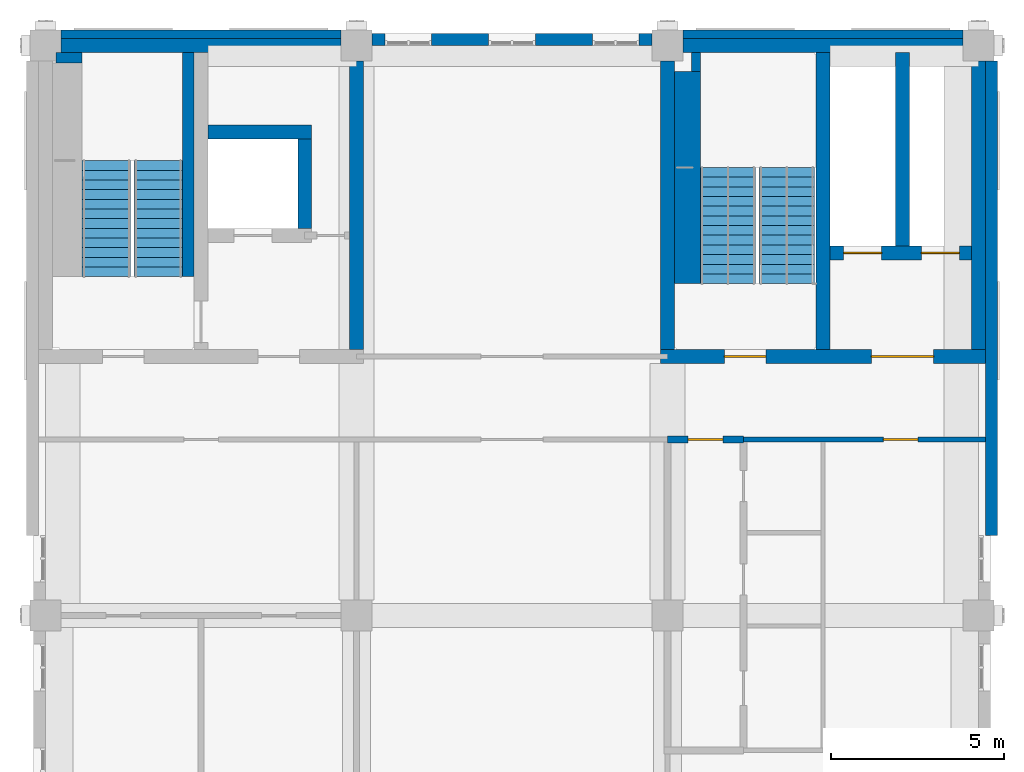
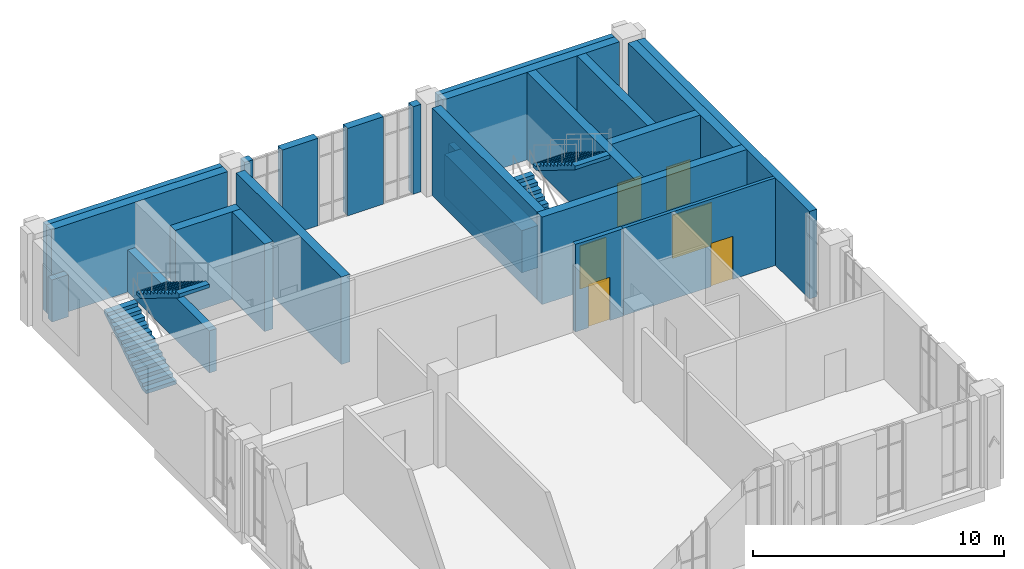
# One storey, part 10 of 13: 24 walls, 6 doors, 4 stair flights, 6 openings, 2 elements without a shape of their own.
"""IFC4 building model written with IfcOpenShell, lengths in metres."""

from ifc_helpers import new_model, si_unit, direction, frame, frame_2d, origin, place, context, subcontext, project, spatial, polyline, rectangle, outline, extrude, material, layer, layer_set, type_object, element, fill, aggregate, save


model = new_model("IFC4")

# Units and contexts
model_context = context("Model", 3, precision=1e-05, world=origin(), true_north=direction((0.0, 1.0)))
body_context = subcontext(model_context, "Body", "Model", "MODEL_VIEW")
ifc_project = project(units=[si_unit("LENGTHUNIT", "METRE"), si_unit("AREAUNIT", "SQUARE_METRE"), si_unit("VOLUMEUNIT", "CUBIC_METRE"), si_unit("PLANEANGLEUNIT", "RADIAN"), si_unit("MASSUNIT", "GRAM", prefix="KILO")], contexts=[model_context])

# Site, building, storey
site_placement = place(None, origin())
site = spatial("IfcSite", under=ifc_project, at=site_placement, CompositionType="ELEMENT")
building_placement = place(site_placement, origin())
building = spatial("IfcBuilding", under=site, at=building_placement, Name="Aurelan Courthouse", CompositionType="ELEMENT")
storey_placement = place(building_placement, frame((0.0, 0.0, 48.89990234375)))
storey = spatial("IfcBuildingStorey", under=building, at=storey_placement, Name="L09", CompositionType="ELEMENT", Elevation=48.89990234375)

# Wall, opening, door
ifc_material_1 = material(Name="Gypsum board on metal studs")
ifc_layer_1 = layer(ifc_material_1, 0.14990234375)
ifc_layer_set_1 = layer_set([ifc_layer_1], Name="Gypsum board on metal studs")
wall_type_1 = type_object("IfcWallType", Name="Corridor partition 150 EI 60", PredefinedType="PARTITIONING", material=ifc_layer_set_1)
wall_1_placement = place(storey_placement, frame((20.199951171875, 17.10009765625, 0.0), z_axis=(0.0, 0.0, 1.0), x_axis=(1.0, 0.0, 0.0)))
wall_1 = element("IfcWall", 1, at=wall_1_placement, inside=storey, type_object=wall_type_1, Name="Corridor partition L09-009", PredefinedType="PARTITIONING", context=body_context, shape_type="SweptSolid", body=[
    extrude(rectangle(XDim=7.0, YDim=0.14990234375, at=frame_2d((3.5, 0.0))), origin(), (0.0, 0.0, 1.0), 4.25),
])
opening_1_placement = place(wall_1_placement, frame((5.050048828125, 0.0, 0.0), z_axis=(0.0, 0.0, 1.0), x_axis=(-1.0, 0.0, 0.0)))
opening_1 = element("IfcOpeningElement", 2, at=opening_1_placement, cuts=wall_1, Name="Opening D-L09-015", PredefinedType="OPENING", context=body_context, shape_type="SweptSolid", body=[
    extrude(rectangle(XDim=1.0, YDim=2.10009765625, at=frame_2d((0.5, 1.050048828125))), frame((0.0, 0.0849609375, 0.0), z_axis=(0.0, -1.0, 0.0), x_axis=(1.0, 0.0, 0.0)), (0.0, 0.0, 1.0), 0.169921875),
])
ifc_material_2 = material(Name="Steel", Category="steel")
door_type_1 = type_object("IfcDoorType", Name="Single door 1000 x 2100 FD60", OperationType="SINGLE_SWING_LEFT", PredefinedType="DOOR", material=ifc_material_2)
door_1_placement = place(opening_1_placement, origin())
door_1 = element("IfcDoor", 3, at=door_1_placement, inside=storey, type_object=door_type_1, Name="Single door D-L09-015", OperationType="SINGLE_SWING_RIGHT", OverallHeight=2.10009765625, OverallWidth=1.0, PredefinedType="DOOR", context=body_context, shape_type="SweptSolid", body=[
    extrude(rectangle(XDim=1.0, YDim=2.10009765625, at=frame_2d((0.5, 1.050048828125))), frame((0.0, 0.02490234375, 0.0), z_axis=(0.0, -1.0, 0.0), x_axis=(1.0, 0.0, 0.0)), (0.0, 0.0, 1.0), 0.050048828125),
])
fill(opening_1, door_1)

# Walls
ifc_material_3 = material(Name="Limestone cladding", Category="masonry")
ifc_layer_2 = layer(ifc_material_3, 0.070068359375, Name="Facing")
ifc_material_4 = material(Name="Ventilated cavity")
ifc_layer_3 = layer(ifc_material_4, 0.02490234375, ventilated=True, Name="Ventilated cavity")
ifc_material_5 = material(Name="Mineral wool insulation")
ifc_layer_4 = layer(ifc_material_5, 0.034912109375, Name="Insulation")
ifc_material_6 = material(Name="Concrete C30", Category="concrete")
ifc_layer_5 = layer(ifc_material_6, 0.1201171875, Name="Structure")
ifc_layer_set_2 = layer_set([ifc_layer_2, ifc_layer_3, ifc_layer_4, ifc_layer_5], Name="Concrete C30")
wall_type_2 = type_object("IfcWallType", Name="Courts' Floors stone-faced wall 250", PredefinedType="SOLIDWALL", material=ifc_layer_set_2)
for number, where, z_axis, x_axis, name in (
    (4, (0.449951171875, 28.824951171875, 0.0), (0.0, 0.0, 1.0), (1.0, 0.0, 0.0), "Facade wall FW-V5-L09-012"),
    (5, (18.449951171875, 28.824951171875, 0.0), (0.0, 0.0, 1.0), (1.0, 0.0, 0.0), "Facade wall FW-V5-L09-017"),
):
    element("IfcWall", number, at=place(storey_placement, frame(where, z_axis=z_axis, x_axis=x_axis)), inside=storey, type_object=wall_type_2, Name=name, PredefinedType="SOLIDWALL", context=body_context, shape_type="SweptSolid", body=[
        extrude(rectangle(XDim=8.10009765625, YDim=0.25, at=frame_2d((4.050048828125, 0.0))), origin(), (0.0, 0.0, 1.0), 4.25),
    ])
ifc_layer_6 = layer(ifc_material_3, 0.10009765625, Name="Facing")
ifc_layer_7 = layer(ifc_material_4, 0.02490234375, ventilated=True, Name="Ventilated cavity")
ifc_layer_8 = layer(ifc_material_5, 0.050048828125, Name="Insulation")
ifc_layer_9 = layer(ifc_material_6, 0.175048828125, Name="Structure")
ifc_layer_set_3 = layer_set([ifc_layer_6, ifc_layer_7, ifc_layer_8, ifc_layer_9], Name="Concrete C30")
wall_type_3 = type_object("IfcWallType", Name="Courts' Floors stone-faced wall 350", PredefinedType="SOLIDWALL", material=ifc_layer_set_3)
wall_2_placement = place(storey_placement, frame((9.449951171875, 28.675048828125, 0.0), z_axis=(0.0, 0.0, 1.0), x_axis=(1.0, 0.0, 0.0)))
element("IfcWall", 6, at=wall_2_placement, inside=storey, type_object=wall_type_3, Name="Facade wall FW-V5-L09-013", PredefinedType="SOLIDWALL", context=body_context, shape_type="SweptSolid", body=[
    extrude(rectangle(XDim=0.375, YDim=0.35009765625, at=frame_2d((0.1875, 0.0))), origin(), (0.0, 0.0, 1.0), 4.25),
])
for number, where, z_axis, x_axis, name in (
    (7, (11.175048828125, 28.675048828125, 0.0), (0.0, 0.0, 1.0), (1.0, 0.0, 0.0), "Facade wall FW-V5-L09-014"),
    (8, (14.175048828125, 28.675048828125, 0.0), (0.0, 0.0, 1.0), (1.0, 0.0, 0.0), "Facade wall FW-V5-L09-015"),
):
    element("IfcWall", number, at=place(storey_placement, frame(where, z_axis=z_axis, x_axis=x_axis)), inside=storey, type_object=wall_type_3, Name=name, PredefinedType="SOLIDWALL", context=body_context, shape_type="SweptSolid", body=[
        extrude(rectangle(XDim=1.64990234375, YDim=0.35009765625, at=frame_2d((0.824951171875, 0.0))), origin(), (0.0, 0.0, 1.0), 4.25),
    ])
wall_3_placement = place(storey_placement, frame((17.175048828125, 28.675048828125, 0.0), z_axis=(0.0, 0.0, 1.0), x_axis=(1.0, 0.0, 0.0)))
element("IfcWall", 9, at=wall_3_placement, inside=storey, type_object=wall_type_3, Name="Facade wall FW-V5-L09-016", PredefinedType="SOLIDWALL", context=body_context, shape_type="SweptSolid", body=[
    extrude(rectangle(XDim=0.375, YDim=0.35009765625, at=frame_2d((0.1875, 0.0))), origin(), (0.0, 0.0, 1.0), 4.25),
])
wall_4_placement = place(storey_placement, frame((27.375, 14.324951171875, 0.0), z_axis=(0.0, 0.0, 1.0), x_axis=(0.0, 1.0, 0.0)))
element("IfcWall", 10, at=wall_4_placement, inside=storey, type_object=wall_type_3, Name="Facade wall FW-V5-L09-023", PredefinedType="SOLIDWALL", context=body_context, shape_type="SweptSolid", body=[
    extrude(rectangle(XDim=13.72509765625, YDim=0.35009765625, at=frame_2d((6.862548828125, 0.0))), origin(), (0.0, 0.0, 1.0), 4.25),
])

# Wall, opening, door
ifc_material_7 = material(Name="Masonry block", Category="masonry")
ifc_layer_10 = layer(ifc_material_7, 0.199951171875)
ifc_layer_set_4 = layer_set([ifc_layer_10], Name="Masonry block")
wall_type_4 = type_object("IfcWallType", Name="Lift lobby wall 200 EI 60", PredefinedType="PARTITIONING", material=ifc_layer_set_4)
wall_5_placement = place(storey_placement, frame((18.0, 17.10009765625, 0.0), z_axis=(0.0, 0.0, 1.0), x_axis=(1.0, 0.0, 0.0)))
wall_5 = element("IfcWall", 11, at=wall_5_placement, inside=storey, type_object=wall_type_4, Name="Lift lobby wall L09-008", PredefinedType="PARTITIONING", context=body_context, shape_type="SweptSolid", body=[
    extrude(rectangle(XDim=2.199951171875, YDim=0.199951171875, at=frame_2d((1.10009765625, 0.0))), origin(), (0.0, 0.0, 1.0), 4.25),
])
opening_2_placement = place(wall_5_placement, frame((0.60009765625, 0.0, 0.0)))
opening_2 = element("IfcOpeningElement", 12, at=opening_2_placement, cuts=wall_5, Name="Opening D-L09-016", PredefinedType="OPENING", context=body_context, shape_type="SweptSolid", body=[
    extrude(rectangle(XDim=1.0, YDim=2.10009765625, at=frame_2d((0.5, 1.050048828125))), frame((0.0, 0.10986328125, 0.0), z_axis=(0.0, -1.0, 0.0), x_axis=(1.0, 0.0, 0.0)), (0.0, 0.0, 1.0), 0.219970703125),
])
door_2_placement = place(opening_2_placement, origin())
door_2 = element("IfcDoor", 13, at=door_2_placement, inside=storey, type_object=door_type_1, Name="Single door D-L09-016", OperationType="SINGLE_SWING_RIGHT", OverallHeight=2.10009765625, OverallWidth=1.0, PredefinedType="DOOR", context=body_context, shape_type="SweptSolid", body=[
    extrude(rectangle(XDim=1.0, YDim=2.10009765625, at=frame_2d((0.5, 1.050048828125))), frame((0.0, 0.02490234375, 0.0), z_axis=(0.0, -1.0, 0.0), x_axis=(1.0, 0.0, 0.0)), (0.0, 0.0, 1.0), 0.050048828125),
])
fill(opening_2, door_2)

# Wall, openings, doors
ifc_material_8 = material(Name="Concrete C50", Category="concrete")
ifc_layer_11 = layer(ifc_material_8, 0.39990234375)
ifc_layer_set_5 = layer_set([ifc_layer_11], Name="Concrete C50")
wall_type_5 = type_object("IfcWallType", Name="RC shear wall 400", PredefinedType="SHEAR", material=ifc_layer_set_5)
wall_6_placement = place(storey_placement, frame((17.800048828125, 19.5, 0.0), z_axis=(0.0, 0.0, 1.0), x_axis=(1.0, 0.0, 0.0)))
wall_6 = element("IfcWall", 14, at=wall_6_placement, inside=storey, type_object=wall_type_5, Name="Core wall SW-L09-002", PredefinedType="SHEAR", context=body_context, shape_type="SweptSolid", body=[
    extrude(rectangle(XDim=9.39990234375, YDim=0.39990234375, at=frame_2d((4.699951171875, 0.0))), origin(), (0.0, 0.0, 1.0), 4.25),
])
opening_3_placement = place(wall_6_placement, frame((1.85009765625, 0.0, 0.0)))
opening_3 = element("IfcOpeningElement", 15, at=opening_3_placement, cuts=wall_6, Name="Opening D-L09-006", PredefinedType="OPENING", context=body_context, shape_type="SweptSolid", body=[
    extrude(rectangle(XDim=1.199951171875, YDim=2.10009765625, at=frame_2d((0.60009765625, 1.050048828125))), frame((0.0, 0.2099609375, 0.0), z_axis=(0.0, -1.0, 0.0), x_axis=(1.0, 0.0, 0.0)), (0.0, 0.0, 1.0), 0.419921875),
])
opening_4_placement = place(wall_6_placement, frame((7.900146484375, 0.0, 0.0), z_axis=(0.0, 0.0, 1.0), x_axis=(-1.0, 0.0, 0.0)))
opening_4 = element("IfcOpeningElement", 16, at=opening_4_placement, cuts=wall_6, Name="Opening D-L09-007", PredefinedType="OPENING", context=body_context, shape_type="SweptSolid", body=[
    extrude(rectangle(XDim=1.800048828125, YDim=2.10009765625, at=frame_2d((0.89990234375, 1.050048828125))), frame((0.0, 0.2099609375, 0.0), z_axis=(0.0, -1.0, 0.0), x_axis=(1.0, 0.0, 0.0)), (0.0, 0.0, 1.0), 0.419921875),
])
door_type_2 = type_object("IfcDoorType", Name="Double door 1800 x 2100 FD90", OperationType="DOUBLE_DOOR_SINGLE_SWING", PredefinedType="DOOR", material=ifc_material_2)
door_3_placement = place(opening_4_placement, origin())
door_3 = element("IfcDoor", 17, at=door_3_placement, inside=storey, type_object=door_type_2, Name="Double door D-L09-007", OperationType="DOUBLE_DOOR_SINGLE_SWING", OverallHeight=2.10009765625, OverallWidth=1.800048828125, PredefinedType="DOOR", context=body_context, shape_type="SweptSolid", body=[
    extrude(rectangle(XDim=1.800048828125, YDim=2.10009765625, at=frame_2d((0.89990234375, 1.050048828125))), frame((0.0, 0.02490234375, 0.0), z_axis=(0.0, -1.0, 0.0), x_axis=(1.0, 0.0, 0.0)), (0.0, 0.0, 1.0), 0.050048828125),
])
fill(opening_4, door_3)
door_type_3 = type_object("IfcDoorType", Name="Single door 1200 x 2100 FD90", OperationType="SINGLE_SWING_LEFT", PredefinedType="DOOR", material=ifc_material_2)
door_4_placement = place(opening_3_placement, origin())
door_4 = element("IfcDoor", 18, at=door_4_placement, inside=storey, type_object=door_type_3, Name="Single door D-L09-006", OperationType="SINGLE_SWING_LEFT", OverallHeight=2.10009765625, OverallWidth=1.199951171875, PredefinedType="DOOR", context=body_context, shape_type="SweptSolid", body=[
    extrude(rectangle(XDim=1.199951171875, YDim=2.10009765625, at=frame_2d((0.60009765625, 1.050048828125))), frame((0.0, 0.02490234375, 0.0), z_axis=(0.0, -1.0, 0.0), x_axis=(1.0, 0.0, 0.0)), (0.0, 0.0, 1.0), 0.050048828125),
])
fill(opening_3, door_4)

# Walls
for number, where, z_axis, x_axis, name in (
    (19, (9.0, 19.699951171875, 0.0), (0.0, 0.0, 1.0), (0.0, 1.0, 0.0), "Core wall SW-L09-005"),
    (20, (18.0, 19.699951171875, 0.0), (0.0, 0.0, 1.0), (0.0, 1.0, 0.0), "Core wall SW-L09-006"),
):
    element("IfcWall", number, at=place(storey_placement, frame(where, z_axis=z_axis, x_axis=x_axis)), inside=storey, type_object=wall_type_5, Name=name, PredefinedType="SHEAR", context=body_context, shape_type="SweptSolid", body=[
        extrude(rectangle(XDim=8.35009765625, YDim=0.39990234375, at=frame_2d((4.175048828125, 0.0))), origin(), (0.0, 0.0, 1.0), 4.25),
    ])
wall_7_placement = place(storey_placement, frame((22.5, 19.699951171875, 0.0), z_axis=(0.0, 0.0, 1.0), x_axis=(0.0, 1.0, 0.0)))
element("IfcWall", 21, at=wall_7_placement, inside=storey, type_object=wall_type_5, Name="Core wall SW-L09-007", PredefinedType="SHEAR", context=body_context, shape_type="SweptSolid", body=[
    extrude(rectangle(XDim=8.60009765625, YDim=0.39990234375, at=frame_2d((4.300048828125, 0.0))), origin(), (0.0, 0.0, 1.0), 4.25),
])
wall_8_placement = place(storey_placement, frame((27.0, 19.699951171875, 0.0), z_axis=(0.0, 0.0, 1.0), x_axis=(0.0, 1.0, 0.0)))
element("IfcWall", 22, at=wall_8_placement, inside=storey, type_object=wall_type_5, Name="Core wall SW-L09-008", PredefinedType="SHEAR", context=body_context, shape_type="SweptSolid", body=[
    extrude(rectangle(XDim=8.35009765625, YDim=0.39990234375, at=frame_2d((4.175048828125, 0.0))), origin(), (0.0, 0.0, 1.0), 4.25),
])

# Wall, openings, doors
wall_9_placement = place(storey_placement, frame((22.699951171875, 22.5, 0.0), z_axis=(0.0, 0.0, 1.0), x_axis=(1.0, 0.0, 0.0)))
wall_9 = element("IfcWall", 23, at=wall_9_placement, inside=storey, type_object=wall_type_5, Name="Core wall SW-L09-009", PredefinedType="SHEAR", context=body_context, shape_type="SweptSolid", body=[
    extrude(rectangle(XDim=4.10009765625, YDim=0.39990234375, at=frame_2d((2.050048828125, 0.0))), origin(), (0.0, 0.0, 1.0), 4.25),
])
opening_5_placement = place(wall_9_placement, frame((0.39990234375, 0.0, 0.0)))
opening_5 = element("IfcOpeningElement", 24, at=opening_5_placement, cuts=wall_9, Name="Opening LD-V5-P1-L09", PredefinedType="OPENING", context=body_context, shape_type="SweptSolid", body=[
    extrude(rectangle(XDim=1.10009765625, YDim=2.10009765625, at=frame_2d((0.550048828125, 1.050048828125))), frame((0.0, 0.2099609375, 0.0), z_axis=(0.0, -1.0, 0.0), x_axis=(1.0, 0.0, 0.0)), (0.0, 0.0, 1.0), 0.419921875),
])
opening_6_placement = place(wall_9_placement, frame((2.64990234375, 0.0, 0.0)))
opening_6 = element("IfcOpeningElement", 25, at=opening_6_placement, cuts=wall_9, Name="Opening LD-V5-P2-L09", PredefinedType="OPENING", context=body_context, shape_type="SweptSolid", body=[
    extrude(rectangle(XDim=1.10009765625, YDim=2.10009765625, at=frame_2d((0.550048828125, 1.050048828125))), frame((0.0, 0.2099609375, 0.0), z_axis=(0.0, -1.0, 0.0), x_axis=(1.0, 0.0, 0.0)), (0.0, 0.0, 1.0), 0.419921875),
])
door_type_4 = type_object("IfcDoorType", Name="Lift landing door 1100 x 2100 FD90", OperationType="SLIDING_TO_LEFT", PredefinedType="DOOR", material=ifc_material_2)
door_5_placement = place(opening_5_placement, origin())
door_5 = element("IfcDoor", 26, at=door_5_placement, inside=storey, type_object=door_type_4, Name="Lift landing door LD-V5-P1-L09", OperationType="SLIDING_TO_LEFT", OverallHeight=2.10009765625, OverallWidth=1.10009765625, PredefinedType="DOOR", context=body_context, shape_type="SweptSolid", body=[
    extrude(rectangle(XDim=1.10009765625, YDim=2.10009765625, at=frame_2d((0.550048828125, 1.050048828125))), frame((0.0, 0.02490234375, 0.0), z_axis=(0.0, -1.0, 0.0), x_axis=(1.0, 0.0, 0.0)), (0.0, 0.0, 1.0), 0.050048828125),
])
fill(opening_5, door_5)
door_6_placement = place(opening_6_placement, origin())
door_6 = element("IfcDoor", 27, at=door_6_placement, inside=storey, type_object=door_type_4, Name="Lift landing door LD-V5-P2-L09", OperationType="SLIDING_TO_LEFT", OverallHeight=2.10009765625, OverallWidth=1.10009765625, PredefinedType="DOOR", context=body_context, shape_type="SweptSolid", body=[
    extrude(rectangle(XDim=1.10009765625, YDim=2.10009765625, at=frame_2d((0.550048828125, 1.050048828125))), frame((0.0, 0.02490234375, 0.0), z_axis=(0.0, -1.0, 0.0), x_axis=(1.0, 0.0, 0.0)), (0.0, 0.0, 1.0), 0.050048828125),
])
fill(opening_6, door_6)

# Walls
wall_10_placement = place(storey_placement, frame((24.800048828125, 22.699951171875, 0.0), z_axis=(0.0, 0.0, 1.0), x_axis=(0.0, 1.0, 0.0)))
element("IfcWall", 28, at=wall_10_placement, inside=storey, type_object=wall_type_5, Name="Core wall SW-L09-010", PredefinedType="SHEAR", context=body_context, shape_type="SweptSolid", body=[
    extrude(rectangle(XDim=5.60009765625, YDim=0.39990234375, at=frame_2d((2.800048828125, 0.0))), origin(), (0.0, 0.0, 1.0), 4.25),
])
wall_11_placement = place(storey_placement, frame((7.5, 23.199951171875, 0.0), z_axis=(0.0, 0.0, 1.0), x_axis=(0.0, 1.0, 0.0)))
element("IfcWall", 29, at=wall_11_placement, inside=storey, type_object=wall_type_5, Name="Core wall SW-L09-012", PredefinedType="SHEAR", context=body_context, shape_type="SweptSolid", body=[
    extrude(rectangle(XDim=2.60009765625, YDim=0.39990234375, at=frame_2d((1.300048828125, 0.0))), origin(), (0.0, 0.0, 1.0), 4.25),
])
wall_12_placement = place(storey_placement, frame((4.699951171875, 26.0, 0.0), z_axis=(0.0, 0.0, 1.0), x_axis=(1.0, 0.0, 0.0)))
element("IfcWall", 30, at=wall_12_placement, inside=storey, type_object=wall_type_5, Name="Core wall SW-L09-013", PredefinedType="SHEAR", context=body_context, shape_type="SweptSolid", body=[
    extrude(rectangle(XDim=3.0, YDim=0.39990234375, at=frame_2d((1.5, 0.0))), origin(), (0.0, 0.0, 1.0), 4.25),
])
for number, where, z_axis, x_axis, name in (
    (31, (0.449951171875, 28.5, 0.0), (0.0, 0.0, 1.0), (1.0, 0.0, 0.0), "Core wall SW-L09-014"),
    (32, (18.449951171875, 28.5, 0.0), (0.0, 0.0, 1.0), (1.0, 0.0, 0.0), "Core wall SW-L09-015"),
):
    element("IfcWall", number, at=place(storey_placement, frame(where, z_axis=z_axis, x_axis=x_axis)), inside=storey, type_object=wall_type_5, Name=name, PredefinedType="SHEAR", context=body_context, shape_type="SweptSolid", body=[
        extrude(rectangle(XDim=8.10009765625, YDim=0.39990234375, at=frame_2d((4.050048828125, 0.0))), origin(), (0.0, 0.0, 1.0), 4.25),
    ])
ifc_layer_12 = layer(ifc_material_6, 0.25)
ifc_layer_set_6 = layer_set([ifc_layer_12], Name="Concrete C30")
wall_type_6 = type_object("IfcWallType", Name="Stair well wall 250 EI 120 load-bearing", PredefinedType="SHEAR", material=ifc_layer_set_6)
wall_13_placement = place(storey_placement, frame((18.824951171875, 27.75, 0.0), z_axis=(0.0, 0.0, 1.0), x_axis=(0.0, 1.0, 0.0)))
element("IfcWall", 33, at=wall_13_placement, inside=storey, type_object=wall_type_6, Name="Stair well wall ST-5A-L09 A2", PredefinedType="SHEAR", context=body_context, shape_type="SweptSolid", body=[
    extrude(rectangle(XDim=0.550048828125, YDim=0.25, at=frame_2d((0.27490234375, 0.0))), origin(), (0.0, 0.0, 1.0), 2.050048828125),
])
ifc_layer_13 = layer(ifc_material_6, 0.340087890625)
ifc_layer_set_7 = layer_set([ifc_layer_13], Name="Concrete C30")
wall_type_7 = type_object("IfcWallType", Name="Stair well wall 340 EI 120 load-bearing", PredefinedType="SHEAR", material=ifc_layer_set_7)
wall_14_placement = place(storey_placement, frame((4.1298828125, 21.81005859375, 0.0), z_axis=(0.0, 0.0, 1.0), x_axis=(0.0, 1.0, 0.0)))
element("IfcWall", 34, at=wall_14_placement, inside=storey, type_object=wall_type_7, Name="Stair well wall ST-5B-L09 B", PredefinedType="SHEAR", context=body_context, shape_type="SweptSolid", body=[
    extrude(rectangle(XDim=6.489990234375, YDim=0.340087890625, at=frame_2d((3.2451171875, 0.0))), origin(), (0.0, 0.0, 1.0), 2.050048828125),
])
ifc_layer_14 = layer(ifc_material_6, 0.75)
ifc_layer_set_8 = layer_set([ifc_layer_14], Name="Concrete C30")
wall_type_8 = type_object("IfcWallType", Name="Stair well wall 750 EI 120 load-bearing", PredefinedType="SHEAR", material=ifc_layer_set_8)
wall_15_placement = place(storey_placement, frame((18.574951171875, 21.610107421875, 0.0), z_axis=(0.0, 0.0, 1.0), x_axis=(0.0, 1.0, 0.0)))
element("IfcWall", 35, at=wall_15_placement, inside=storey, type_object=wall_type_8, Name="Stair well wall ST-5A-L09 A", PredefinedType="SHEAR", context=body_context, shape_type="SweptSolid", body=[
    extrude(rectangle(XDim=6.139892578125, YDim=0.75, at=frame_2d((3.06982421875, 0.0))), origin(), (0.0, 0.0, 1.0), 2.050048828125),
])
ifc_layer_15 = layer(ifc_material_6, 0.760009765625)
ifc_layer_set_9 = layer_set([ifc_layer_15], Name="Concrete C30")
wall_type_9 = type_object("IfcWallType", Name="Stair well wall 760 EI 120 load-bearing", PredefinedType="SHEAR", material=ifc_layer_set_9)
wall_16_placement = place(storey_placement, frame((0.679931640625, 28.0, 0.0), z_axis=(0.0, 0.0, 1.0), x_axis=(0.0, 1.0, 0.0)))
element("IfcWall", 36, at=wall_16_placement, inside=storey, type_object=wall_type_9, Name="Stair well wall ST-5B-L09 A2", PredefinedType="SHEAR", context=body_context, shape_type="SweptSolid", body=[
    extrude(rectangle(XDim=0.300048828125, YDim=0.760009765625, at=frame_2d((0.14990234375, 0.0))), origin(), (0.0, 0.0, 1.0), 2.050048828125),
])

# Stair, stair flights
stair_type_1 = type_object("IfcStairType", Name="Half-turn stair 1400 wide 26 risers", PredefinedType="HALF_TURN_STAIR", material=ifc_material_6)
stair_1_placement = place(storey_placement, origin())
stair_1 = element("IfcStair", 37, at=stair_1_placement, inside=storey, type_object=stair_type_1, Name="Stair ST-5B-L09", PredefinedType="HALF_TURN_STAIR")
stair_flight_type_1 = type_object("IfcStairFlightType", Name="Stair flight 1400 wide 13 risers", PredefinedType="STRAIGHT", material=ifc_material_6)
stair_flight_1_placement = place(storey_placement, frame((1.760009765625, 21.81005859375, 0.0), z_axis=(0.0, 0.0, 1.0), x_axis=(0.0, 1.0, 0.0)))
stair_flight_1 = element("IfcStairFlight", 38, at=stair_flight_1_placement, type_object=stair_flight_type_1, Name="Stair ST-5B-L09 flight 1", NumberOfRisers=13, NumberOfTreads=12, PredefinedType="STRAIGHT", RiserHeight=0.173076923, TreadLength=0.28, context=body_context, shape_type="SweptSolid", body=[
    extrude(outline(polyline([(0.0, 0.0), (0.0, 0.173095703125), (0.280029296875, 0.173095703125), (0.280029296875, 0.34619140625), (0.56005859375, 0.34619140625), (0.56005859375, 0.519287109375), (0.840087890625, 0.519287109375), (0.840087890625, 0.6923828125), (1.1201171875, 0.6923828125), (1.1201171875, 0.865478515625), (1.39990234375, 0.865478515625), (1.39990234375, 1.03857421875), (1.679931640625, 1.03857421875), (1.679931640625, 1.21142578125), (1.9599609375, 1.21142578125), (1.9599609375, 1.384521484375), (2.239990234375, 1.384521484375), (2.239990234375, 1.5576171875), (2.52001953125, 1.5576171875), (2.52001953125, 1.730712890625), (2.800048828125, 1.730712890625), (2.800048828125, 1.90380859375), (3.080078125, 1.90380859375), (3.080078125, 2.076904296875), (3.360107421875, 2.076904296875), (3.360107421875, 2.25), (3.360107421875, 1.900634765625), (0.28515625, 0.0), (0.0, 0.0)])), frame((0.0, 0.699951171875, 0.0), z_axis=(0.0, -1.0, 0.0), x_axis=(1.0, 0.0, 0.0)), (0.0, 0.0, 1.0), 1.39990234375),
])
stair_flight_2_placement = place(storey_placement, frame((3.260009765625, 25.169921875, 2.25), z_axis=(0.0, 0.0, 1.0), x_axis=(0.0, -1.0, 0.0)))
stair_flight_2 = element("IfcStairFlight", 39, at=stair_flight_2_placement, type_object=stair_flight_type_1, Name="Stair ST-5B-L09 flight 2", NumberOfRisers=13, NumberOfTreads=12, PredefinedType="STRAIGHT", RiserHeight=0.173076923, TreadLength=0.28, context=body_context, shape_type="SweptSolid", body=[
    extrude(outline(polyline([(0.0, 0.0), (0.0, 0.173095703125), (0.280029296875, 0.173095703125), (0.280029296875, 0.34619140625), (0.56005859375, 0.34619140625), (0.56005859375, 0.519287109375), (0.840087890625, 0.519287109375), (0.840087890625, 0.6923828125), (1.1201171875, 0.6923828125), (1.1201171875, 0.865478515625), (1.39990234375, 0.865478515625), (1.39990234375, 1.03857421875), (1.679931640625, 1.03857421875), (1.679931640625, 1.21142578125), (1.9599609375, 1.21142578125), (1.9599609375, 1.384521484375), (2.239990234375, 1.384521484375), (2.239990234375, 1.5576171875), (2.52001953125, 1.5576171875), (2.52001953125, 1.730712890625), (2.800048828125, 1.730712890625), (2.800048828125, 1.90380859375), (3.080078125, 1.90380859375), (3.080078125, 2.076904296875), (3.360107421875, 2.076904296875), (3.360107421875, 2.25), (3.360107421875, 1.900634765625), (0.28515625, 0.0), (0.0, 0.0)])), frame((0.0, 0.699951171875, 0.0), z_axis=(0.0, -1.0, 0.0), x_axis=(1.0, 0.0, 0.0)), (0.0, 0.0, 1.0), 1.39990234375),
])
aggregate(stair_1, [stair_flight_1, stair_flight_2])

stair_type_2 = type_object("IfcStairType", Name="Half-turn stair 1600 wide 26 risers", PredefinedType="HALF_TURN_STAIR", material=ifc_material_6)
stair_2_placement = place(storey_placement, origin())
stair_2 = element("IfcStair", 40, at=stair_2_placement, inside=storey, type_object=stair_type_2, Name="Stair ST-5A-L09", PredefinedType="HALF_TURN_STAIR")
stair_flight_type_2 = type_object("IfcStairFlightType", Name="Stair flight 1600 wide 13 risers", PredefinedType="STRAIGHT", material=ifc_material_6)
stair_flight_3_placement = place(storey_placement, frame((19.75, 21.610107421875, 0.0), z_axis=(0.0, 0.0, 1.0), x_axis=(0.0, 1.0, 0.0)))
stair_flight_3 = element("IfcStairFlight", 41, at=stair_flight_3_placement, type_object=stair_flight_type_2, Name="Stair ST-5A-L09 flight 1", NumberOfRisers=13, NumberOfTreads=12, PredefinedType="STRAIGHT", RiserHeight=0.173076923, TreadLength=0.28, context=body_context, shape_type="SweptSolid", body=[
    extrude(outline(polyline([(0.0, 0.0), (0.0, 0.173095703125), (0.280029296875, 0.173095703125), (0.280029296875, 0.34619140625), (0.56005859375, 0.34619140625), (0.56005859375, 0.519287109375), (0.840087890625, 0.519287109375), (0.840087890625, 0.6923828125), (1.1201171875, 0.6923828125), (1.1201171875, 0.865478515625), (1.39990234375, 0.865478515625), (1.39990234375, 1.03857421875), (1.679931640625, 1.03857421875), (1.679931640625, 1.21142578125), (1.9599609375, 1.21142578125), (1.9599609375, 1.384521484375), (2.239990234375, 1.384521484375), (2.239990234375, 1.5576171875), (2.52001953125, 1.5576171875), (2.52001953125, 1.730712890625), (2.800048828125, 1.730712890625), (2.800048828125, 1.90380859375), (3.080078125, 1.90380859375), (3.080078125, 2.076904296875), (3.360107421875, 2.076904296875), (3.360107421875, 2.25), (3.360107421875, 1.900634765625), (0.28515625, 0.0), (0.0, 0.0)])), frame((0.0, 0.800048828125, 0.0), z_axis=(0.0, -1.0, 0.0), x_axis=(1.0, 0.0, 0.0)), (0.0, 0.0, 1.0), 1.60009765625),
])
stair_flight_4_placement = place(storey_placement, frame((21.449951171875, 24.969970703125, 2.25), z_axis=(0.0, 0.0, 1.0), x_axis=(0.0, -1.0, 0.0)))
stair_flight_4 = element("IfcStairFlight", 42, at=stair_flight_4_placement, type_object=stair_flight_type_2, Name="Stair ST-5A-L09 flight 2", NumberOfRisers=13, NumberOfTreads=12, PredefinedType="STRAIGHT", RiserHeight=0.173076923, TreadLength=0.28, context=body_context, shape_type="SweptSolid", body=[
    extrude(outline(polyline([(0.0, 0.0), (0.0, 0.173095703125), (0.280029296875, 0.173095703125), (0.280029296875, 0.34619140625), (0.56005859375, 0.34619140625), (0.56005859375, 0.519287109375), (0.840087890625, 0.519287109375), (0.840087890625, 0.6923828125), (1.1201171875, 0.6923828125), (1.1201171875, 0.865478515625), (1.39990234375, 0.865478515625), (1.39990234375, 1.03857421875), (1.679931640625, 1.03857421875), (1.679931640625, 1.21142578125), (1.9599609375, 1.21142578125), (1.9599609375, 1.384521484375), (2.239990234375, 1.384521484375), (2.239990234375, 1.5576171875), (2.52001953125, 1.5576171875), (2.52001953125, 1.730712890625), (2.800048828125, 1.730712890625), (2.800048828125, 1.90380859375), (3.080078125, 1.90380859375), (3.080078125, 2.076904296875), (3.360107421875, 2.076904296875), (3.360107421875, 2.25), (3.360107421875, 1.900634765625), (0.28515625, 0.0), (0.0, 0.0)])), frame((0.0, 0.800048828125, 0.0), z_axis=(0.0, -1.0, 0.0), x_axis=(1.0, 0.0, 0.0)), (0.0, 0.0, 1.0), 1.60009765625),
])
aggregate(stair_2, [stair_flight_3, stair_flight_4])

save(model, "model.ifc")
